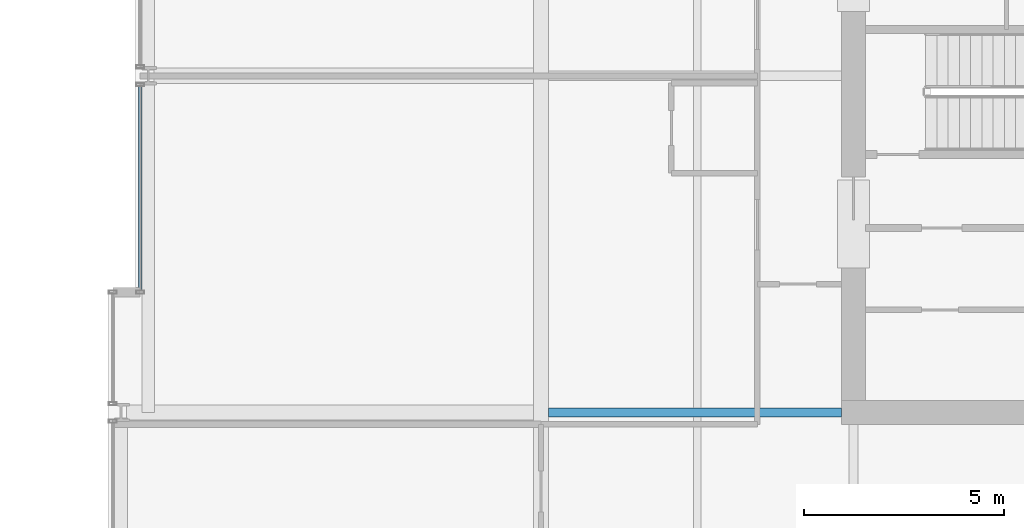
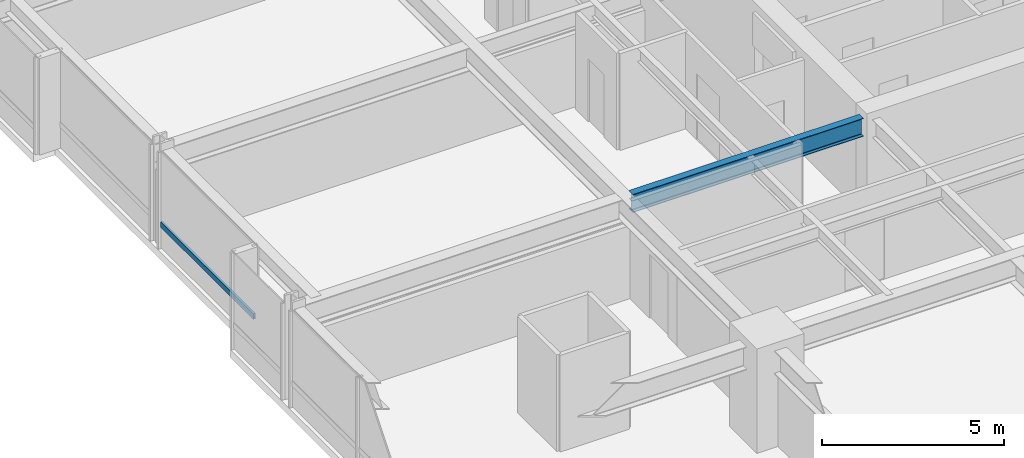
# One storey, part 8 of 33: 1 beam, 1 member, 1 element without a shape of its own.
"""IFC4 building model written with IfcOpenShell, lengths in metres."""

from ifc_helpers import new_model, si_unit, direction, frame, origin, origin_2d, place, context, subcontext, project, spatial, hollow_rectangle, i_section, extrude, material, layer, layer_set, material_profile, profile_set, type_object, element, aggregate, save


model = new_model("IFC4")

# Units and contexts
model_context = context("Model", 3, precision=1e-05, world=origin(), true_north=direction((0.0, 1.0)))
body_context = subcontext(model_context, "Body", "Model", "MODEL_VIEW")
ifc_project = project(units=[si_unit("LENGTHUNIT", "METRE"), si_unit("AREAUNIT", "SQUARE_METRE"), si_unit("VOLUMEUNIT", "CUBIC_METRE"), si_unit("PLANEANGLEUNIT", "RADIAN"), si_unit("MASSUNIT", "GRAM", prefix="KILO")], contexts=[model_context])

# Site, building, storey
site_placement = place(None, origin())
site = spatial("IfcSite", under=ifc_project, at=site_placement, CompositionType="ELEMENT")
building_placement = place(site_placement, origin())
building = spatial("IfcBuilding", under=site, at=building_placement, Name="Drelvath Grand Hotel", CompositionType="ELEMENT")
storey_placement = place(building_placement, frame((0.0, 0.0, 105.800048828125)))
storey = spatial("IfcBuildingStorey", under=building, at=storey_placement, Name="L26", CompositionType="ELEMENT", Elevation=105.800048828125)

# Curtain wall, member
ifc_material_1 = material(Name="Champagne Bronze Anodised Aluminium Frame", Category="aluminium")
ifc_layer = layer(ifc_material_1, 0.199951171875)
ifc_layer_set = layer_set([ifc_layer], Name="Champagne Bronze Anodised Aluminium Frame")
curtain_wall_type = type_object("IfcCurtainWallType", Name="Stick Curtain Wall CW-03 Champagne Bronze Mid-Rise", PredefinedType="NOTDEFINED", material=ifc_layer_set)
curtain_wall_placement = place(storey_placement, origin())
curtain_wall = element("IfcCurtainWall", 1, at=curtain_wall_placement, inside=storey, type_object=curtain_wall_type, Name="L26 CW-03 Curtain Wall CW03-L26-WM1", PredefinedType="NOTDEFINED")
ifc_material_profile_1 = material_profile(ifc_material_1, hollow_rectangle(XDim=0.074951171875, YDim=0.179931640625, WallThickness=0.0048828125, at=origin_2d()), Name="HSS180X75X5")
ifc_profile_set_1 = profile_set([ifc_material_profile_1], Name="Champagne Bronze Anodised Aluminium Frame")
member_type = type_object("IfcMemberType", Name="Curtain Wall Horizontal Transom CW-03 HSS180X75X5", PredefinedType="USERDEFINED", material=ifc_profile_set_1)
member_placement = place(storey_placement, frame((-26.199951171875, 21.639892578125, 0.81005859375), z_axis=(0.0, 1.0, 0.0), x_axis=(-1.0, 0.0, 0.0)))
member = element("IfcMember", 2, at=member_placement, type_object=member_type, Name="CW03-L26-WM1 Sill Transom", ObjectType="TRANSOM", PredefinedType="USERDEFINED", context=body_context, shape_type="SweptSolid", body=[
    extrude(hollow_rectangle(XDim=0.074951171875, YDim=0.179931640625, WallThickness=0.0048828125, at=origin_2d()), origin(), (0.0, 0.0, 1.0), 5.1005859375),
])
aggregate(curtain_wall, [member])

# Beam
ifc_material_2 = material(Name="Steel ASTM A992 Gr 50", Category="steel")
ifc_material_profile_2 = material_profile(ifc_material_2, i_section(OverallWidth=0.228271484375, OverallDepth=0.607666015625, WebThickness=0.01123046875, FlangeThickness=0.017333984375, FilletRadius=0.02001953125, at=origin_2d()), Name="W24X76")
ifc_profile_set_2 = profile_set([ifc_material_profile_2], Name="Steel ASTM A992 Gr 50")
beam_type = type_object("IfcBeamType", Name="Primary Floor Girder W24X76", PredefinedType="BEAM", material=ifc_profile_set_2)
beam_placement = place(storey_placement, frame((-16.009765625, 18.60009765625, 2.93603515625), z_axis=(1.0, 0.0, 0.0), x_axis=(0.0, 1.0, 0.0)))
element("IfcBeam", 3, at=beam_placement, inside=storey, type_object=beam_type, Name="L26 West Core Tie D", PredefinedType="BEAM", context=body_context, shape_type="SweptSolid", body=[
    extrude(i_section(OverallWidth=0.228271484375, OverallDepth=0.607666015625, WebThickness=0.01123046875, FlangeThickness=0.017333984375, FilletRadius=0.02001953125, at=origin_2d()), origin(), (0.0, 0.0, 1.0), 7.309814453125),
])

save(model, "model.ifc")
